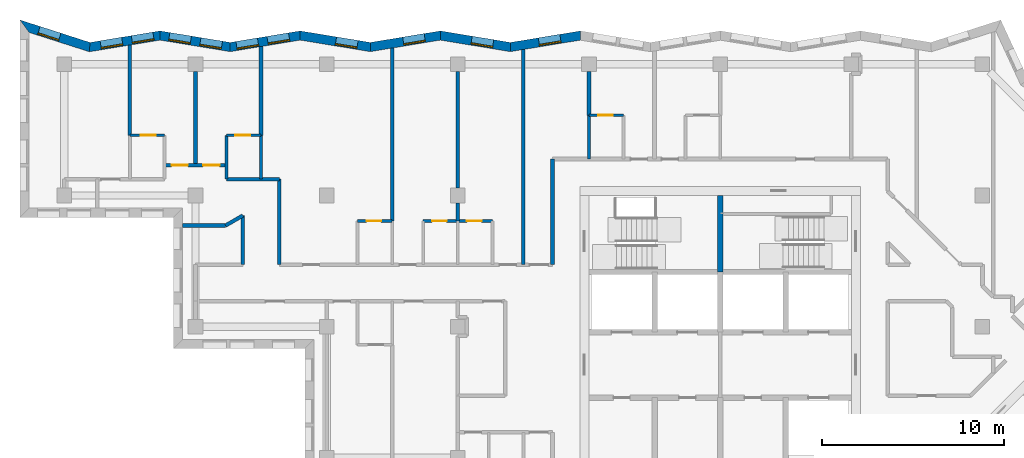
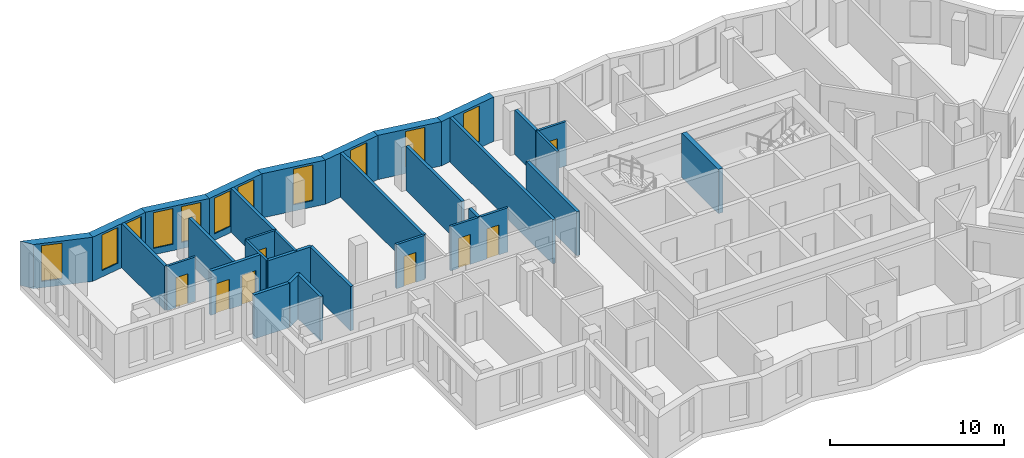
# One storey, part 6 of 12: 32 walls, 11 windows, 8 doors, 19 openings.
"""IFC4 building model written with IfcOpenShell, lengths in metres."""

from ifc_helpers import new_model, si_unit, direction, frame, frame_2d, origin, place, context, subcontext, project, spatial, polyline, rectangle, outline, extrude, material, layer, layer_set, type_object, element, fill, save


model = new_model("IFC4")

# Units and contexts
model_context = context("Model", 3, precision=1e-05, world=origin(), true_north=direction((0.0, 1.0)))
body_context = subcontext(model_context, "Body", "Model", "MODEL_VIEW")
ifc_project = project(units=[si_unit("LENGTHUNIT", "METRE"), si_unit("AREAUNIT", "SQUARE_METRE"), si_unit("VOLUMEUNIT", "CUBIC_METRE"), si_unit("PLANEANGLEUNIT", "RADIAN"), si_unit("MASSUNIT", "GRAM", prefix="KILO")], contexts=[model_context])

# Site, building, storey
site_placement = place(None, origin())
site = spatial("IfcSite", under=ifc_project, at=site_placement, CompositionType="ELEMENT")
building_placement = place(site_placement, origin())
building = spatial("IfcBuilding", under=site, at=building_placement, Name="Windrow Commons", CompositionType="ELEMENT")
storey_placement = place(building_placement, frame((0.0, 0.0, 227.0)))
storey = spatial("IfcBuildingStorey", under=building, at=storey_placement, Name="L62", CompositionType="ELEMENT", Elevation=227.0)

# Wall, opening, window
ifc_material_1 = material(Name="Brick masonry, red clay brick", Category="masonry")
ifc_layer_1 = layer(ifc_material_1, 0.5)
ifc_layer_set_1 = layer_set([ifc_layer_1], Name="Brick facade wall 500")
wall_type_1 = type_object("IfcWallType", Name="Brick facade wall 500", PredefinedType="SOLIDWALL", material=ifc_layer_set_1)
wall_1_placement = place(storey_placement, frame((57.1308, 73.5796, 0.0), z_axis=(0.0, 0.0, 1.0), x_axis=(-0.9867213513, -0.1624222118, 0.0)))
wall_1 = element("IfcWall", 1, at=wall_1_placement, inside=storey, type_object=wall_type_1, Name="Brick facade wall L62 23", PredefinedType="SOLIDWALL", context=body_context, shape_type="SweptSolid", body=[
    extrude(outline(polyline([(-0.0412, -0.25), (3.8561, -0.25), (3.9384, 0.25), (0.0412, 0.25), (-0.0412, -0.25)])), origin(), (0.0, 0.0, 1.0), 3.1),
])
opening_1_placement = place(wall_1_placement, frame((1.107, 0.0, 0.45)))
opening_1 = element("IfcOpeningElement", 2, at=opening_1_placement, cuts=wall_1, Name="Opening W7E", PredefinedType="OPENING", context=body_context, shape_type="SweptSolid", body=[
    extrude(rectangle(XDim=1.2, YDim=2.5, at=frame_2d((0.6, 1.25))), frame((0.0, 0.26, 0.0), z_axis=(0.0, -1.0, 0.0), x_axis=(1.0, 0.0, 0.0)), (0.0, 0.0, 1.0), 0.52),
])
ifc_material_2 = material(Name="Clear float glass in anodised aluminium frame", Category="aluminium")
window_type = type_object("IfcWindowType", Name="Window W7 notch 1200x2500", PartitioningType="SINGLE_PANEL", PredefinedType="WINDOW", material=ifc_material_2)
window_1_placement = place(opening_1_placement, origin())
window_1 = element("IfcWindow", 3, at=window_1_placement, inside=storey, type_object=window_type, Name="Window L62 23.1", OverallHeight=2.5, OverallWidth=1.2, PartitioningType="SINGLE_PANEL", PredefinedType="WINDOW", context=body_context, shape_type="SweptSolid", body=[
    extrude(rectangle(XDim=1.2, YDim=2.5, at=frame_2d((0.6, 1.25))), frame((0.0, 0.18, 0.0), z_axis=(0.0, -1.0, 0.0), x_axis=(1.0, 0.0, 0.0)), (0.0, 0.0, 1.0), 0.06),
])
fill(opening_1, window_1)

wall_2_placement = place(storey_placement, frame((53.2853, 72.9466, 0.0), z_axis=(0.0, 0.0, 1.0), x_axis=(-0.9867213513, 0.1624222118, 0.0)))
wall_2 = element("IfcWall", 4, at=wall_2_placement, inside=storey, type_object=wall_type_1, Name="Brick facade wall L62 24", PredefinedType="SOLIDWALL", context=body_context, shape_type="SweptSolid", body=[
    extrude(outline(polyline([(0.0412, -0.25), (3.9384, -0.25), (3.8561, 0.25), (-0.0412, 0.25), (0.0412, -0.25)])), origin(), (0.0, 0.0, 1.0), 3.1),
])
opening_2_placement = place(wall_2_placement, frame((0.9621, 0.0, 0.45)))
opening_2 = element("IfcOpeningElement", 5, at=opening_2_placement, cuts=wall_2, Name="Opening W7E", PredefinedType="OPENING", context=body_context, shape_type="SweptSolid", body=[
    extrude(rectangle(XDim=1.2, YDim=2.5, at=frame_2d((0.6, 1.25))), frame((0.0, 0.26, 0.0), z_axis=(0.0, -1.0, 0.0), x_axis=(1.0, 0.0, 0.0)), (0.0, 0.0, 1.0), 0.52),
])
window_2_placement = place(opening_2_placement, origin())
window_2 = element("IfcWindow", 6, at=window_2_placement, inside=storey, type_object=window_type, Name="Window L62 24.1", OverallHeight=2.5, OverallWidth=1.2, PartitioningType="SINGLE_PANEL", PredefinedType="WINDOW", context=body_context, shape_type="SweptSolid", body=[
    extrude(rectangle(XDim=1.2, YDim=2.5, at=frame_2d((0.6, 1.25))), frame((0.0, 0.18, 0.0), z_axis=(0.0, -1.0, 0.0), x_axis=(1.0, 0.0, 0.0)), (0.0, 0.0, 1.0), 0.06),
])
fill(opening_2, window_2)

wall_3_placement = place(storey_placement, frame((49.4398, 73.5796, 0.0), z_axis=(0.0, 0.0, 1.0), x_axis=(-0.9867206744, -0.1624263241, 0.0)))
wall_3 = element("IfcWall", 7, at=wall_3_placement, inside=storey, type_object=wall_type_1, Name="Brick facade wall L62 25", PredefinedType="SOLIDWALL", context=body_context, shape_type="SweptSolid", body=[
    extrude(outline(polyline([(-0.0412, -0.25), (3.8561, -0.25), (3.9384, 0.25), (0.0412, 0.25), (-0.0412, -0.25)])), origin(), (0.0, 0.0, 1.0), 3.1),
])
opening_3_placement = place(wall_3_placement, frame((0.8582, 0.0, 0.45)))
opening_3 = element("IfcOpeningElement", 8, at=opening_3_placement, cuts=wall_3, Name="Opening W7E", PredefinedType="OPENING", context=body_context, shape_type="SweptSolid", body=[
    extrude(rectangle(XDim=1.2, YDim=2.5, at=frame_2d((0.6, 1.25))), frame((0.0, 0.26, 0.0), z_axis=(0.0, -1.0, 0.0), x_axis=(1.0, 0.0, 0.0)), (0.0, 0.0, 1.0), 0.52),
])
window_3_placement = place(opening_3_placement, origin())
window_3 = element("IfcWindow", 9, at=window_3_placement, inside=storey, type_object=window_type, Name="Window L62 25.1", OverallHeight=2.5, OverallWidth=1.2, PartitioningType="SINGLE_PANEL", PredefinedType="WINDOW", context=body_context, shape_type="SweptSolid", body=[
    extrude(rectangle(XDim=1.2, YDim=2.5, at=frame_2d((0.6, 1.25))), frame((0.0, 0.18, 0.0), z_axis=(0.0, -1.0, 0.0), x_axis=(1.0, 0.0, 0.0)), (0.0, 0.0, 1.0), 0.06),
])
fill(opening_3, window_3)

wall_4_placement = place(storey_placement, frame((45.5944, 72.9466, 0.0), z_axis=(0.0, 0.0, 1.0), x_axis=(-0.9867213513, 0.1624222118, 0.0)))
wall_4 = element("IfcWall", 10, at=wall_4_placement, inside=storey, type_object=wall_type_1, Name="Brick facade wall L62 26", PredefinedType="SOLIDWALL", context=body_context, shape_type="SweptSolid", body=[
    extrude(outline(polyline([(0.0412, -0.25), (3.9384, -0.25), (3.8561, 0.25), (-0.0412, 0.25), (0.0412, -0.25)])), origin(), (0.0, 0.0, 1.0), 3.1),
])
opening_4_placement = place(wall_4_placement, frame((0.7133, 0.0, 0.45)))
opening_4 = element("IfcOpeningElement", 11, at=opening_4_placement, cuts=wall_4, Name="Opening W7E", PredefinedType="OPENING", context=body_context, shape_type="SweptSolid", body=[
    extrude(rectangle(XDim=1.2, YDim=2.5, at=frame_2d((0.6, 1.25))), frame((0.0, 0.26, 0.0), z_axis=(0.0, -1.0, 0.0), x_axis=(1.0, 0.0, 0.0)), (0.0, 0.0, 1.0), 0.52),
])
window_4_placement = place(opening_4_placement, origin())
window_4 = element("IfcWindow", 12, at=window_4_placement, inside=storey, type_object=window_type, Name="Window L62 26.1", OverallHeight=2.5, OverallWidth=1.2, PartitioningType="SINGLE_PANEL", PredefinedType="WINDOW", context=body_context, shape_type="SweptSolid", body=[
    extrude(rectangle(XDim=1.2, YDim=2.5, at=frame_2d((0.6, 1.25))), frame((0.0, 0.18, 0.0), z_axis=(0.0, -1.0, 0.0), x_axis=(1.0, 0.0, 0.0)), (0.0, 0.0, 1.0), 0.06),
])
fill(opening_4, window_4)

# Wall, openings, windows
wall_5_placement = place(storey_placement, frame((41.7489, 73.5796, 0.0), z_axis=(0.0, 0.0, 1.0), x_axis=(-0.9867213513, -0.1624222118, 0.0)))
wall_5 = element("IfcWall", 13, at=wall_5_placement, inside=storey, type_object=wall_type_1, Name="Brick facade wall L62 27", PredefinedType="SOLIDWALL", context=body_context, shape_type="SweptSolid", body=[
    extrude(outline(polyline([(-0.0412, -0.25), (3.8561, -0.25), (3.9384, 0.25), (0.0412, 0.25), (-0.0412, -0.25)])), origin(), (0.0, 0.0, 1.0), 3.1),
])
opening_5_placement = place(wall_5_placement, frame((0.6095, 0.0, 0.45)))
opening_5 = element("IfcOpeningElement", 14, at=opening_5_placement, cuts=wall_5, Name="Opening W7E", PredefinedType="OPENING", context=body_context, shape_type="SweptSolid", body=[
    extrude(rectangle(XDim=1.2, YDim=2.5, at=frame_2d((0.6, 1.25))), frame((0.0, 0.26, 0.0), z_axis=(0.0, -1.0, 0.0), x_axis=(1.0, 0.0, 0.0)), (0.0, 0.0, 1.0), 0.52),
])
opening_6_placement = place(wall_5_placement, frame((2.3375, 0.0, 0.45)))
opening_6 = element("IfcOpeningElement", 15, at=opening_6_placement, cuts=wall_5, Name="Opening W7E", PredefinedType="OPENING", context=body_context, shape_type="SweptSolid", body=[
    extrude(rectangle(XDim=1.2, YDim=2.5, at=frame_2d((0.6, 1.25))), frame((0.0, 0.26, 0.0), z_axis=(0.0, -1.0, 0.0), x_axis=(1.0, 0.0, 0.0)), (0.0, 0.0, 1.0), 0.52),
])
window_5_placement = place(opening_5_placement, origin())
window_5 = element("IfcWindow", 16, at=window_5_placement, inside=storey, type_object=window_type, Name="Window L62 27.1", OverallHeight=2.5, OverallWidth=1.2, PartitioningType="SINGLE_PANEL", PredefinedType="WINDOW", context=body_context, shape_type="SweptSolid", body=[
    extrude(rectangle(XDim=1.2, YDim=2.5, at=frame_2d((0.6, 1.25))), frame((0.0, 0.18, 0.0), z_axis=(0.0, -1.0, 0.0), x_axis=(1.0, 0.0, 0.0)), (0.0, 0.0, 1.0), 0.06),
])
fill(opening_5, window_5)
window_6_placement = place(opening_6_placement, origin())
window_6 = element("IfcWindow", 17, at=window_6_placement, inside=storey, type_object=window_type, Name="Window L62 27.2", OverallHeight=2.5, OverallWidth=1.2, PartitioningType="SINGLE_PANEL", PredefinedType="WINDOW", context=body_context, shape_type="SweptSolid", body=[
    extrude(rectangle(XDim=1.2, YDim=2.5, at=frame_2d((0.6, 1.25))), frame((0.0, 0.18, 0.0), z_axis=(0.0, -1.0, 0.0), x_axis=(1.0, 0.0, 0.0)), (0.0, 0.0, 1.0), 0.06),
])
fill(opening_6, window_6)

wall_6_placement = place(storey_placement, frame((37.9034, 72.9466, 0.0), z_axis=(0.0, 0.0, 1.0), x_axis=(-0.9867213513, 0.1624222118, 0.0)))
wall_6 = element("IfcWall", 18, at=wall_6_placement, inside=storey, type_object=wall_type_1, Name="Brick facade wall L62 28", PredefinedType="SOLIDWALL", context=body_context, shape_type="SweptSolid", body=[
    extrude(outline(polyline([(0.0412, -0.25), (3.9384, -0.25), (3.8561, 0.25), (-0.0412, 0.25), (0.0412, -0.25)])), origin(), (0.0, 0.0, 1.0), 3.1),
])
opening_7_placement = place(wall_6_placement, frame((0.4645, 0.0, 0.45)))
opening_7 = element("IfcOpeningElement", 19, at=opening_7_placement, cuts=wall_6, Name="Opening W7E", PredefinedType="OPENING", context=body_context, shape_type="SweptSolid", body=[
    extrude(rectangle(XDim=1.2, YDim=2.5, at=frame_2d((0.6, 1.25))), frame((0.0, 0.26, 0.0), z_axis=(0.0, -1.0, 0.0), x_axis=(1.0, 0.0, 0.0)), (0.0, 0.0, 1.0), 0.52),
])
opening_8_placement = place(wall_6_placement, frame((2.1925, 0.0, 0.45)))
opening_8 = element("IfcOpeningElement", 20, at=opening_8_placement, cuts=wall_6, Name="Opening W7E", PredefinedType="OPENING", context=body_context, shape_type="SweptSolid", body=[
    extrude(rectangle(XDim=1.2, YDim=2.5, at=frame_2d((0.6, 1.25))), frame((0.0, 0.26, 0.0), z_axis=(0.0, -1.0, 0.0), x_axis=(1.0, 0.0, 0.0)), (0.0, 0.0, 1.0), 0.52),
])
window_7_placement = place(opening_7_placement, origin())
window_7 = element("IfcWindow", 21, at=window_7_placement, inside=storey, type_object=window_type, Name="Window L62 28.1", OverallHeight=2.5, OverallWidth=1.2, PartitioningType="SINGLE_PANEL", PredefinedType="WINDOW", context=body_context, shape_type="SweptSolid", body=[
    extrude(rectangle(XDim=1.2, YDim=2.5, at=frame_2d((0.6, 1.25))), frame((0.0, 0.18, 0.0), z_axis=(0.0, -1.0, 0.0), x_axis=(1.0, 0.0, 0.0)), (0.0, 0.0, 1.0), 0.06),
])
fill(opening_7, window_7)
window_8_placement = place(opening_8_placement, origin())
window_8 = element("IfcWindow", 22, at=window_8_placement, inside=storey, type_object=window_type, Name="Window L62 28.2", OverallHeight=2.5, OverallWidth=1.2, PartitioningType="SINGLE_PANEL", PredefinedType="WINDOW", context=body_context, shape_type="SweptSolid", body=[
    extrude(rectangle(XDim=1.2, YDim=2.5, at=frame_2d((0.6, 1.25))), frame((0.0, 0.18, 0.0), z_axis=(0.0, -1.0, 0.0), x_axis=(1.0, 0.0, 0.0)), (0.0, 0.0, 1.0), 0.06),
])
fill(opening_8, window_8)

wall_7_placement = place(storey_placement, frame((34.0579, 73.5796, 0.0), z_axis=(0.0, 0.0, 1.0), x_axis=(-0.9867211316, -0.1624235468, 0.0)))
wall_7 = element("IfcWall", 23, at=wall_7_placement, inside=storey, type_object=wall_type_1, Name="Brick facade wall L62 29", PredefinedType="SOLIDWALL", context=body_context, shape_type="SweptSolid", body=[
    extrude(outline(polyline([(-0.0412, -0.25), (3.8561, -0.25), (3.9767, 0.25), (0.0412, 0.25), (-0.0412, -0.25)])), origin(), (0.0, 0.0, 1.0), 3.1),
])
opening_9_placement = place(wall_7_placement, frame((0.3607, 0.0, 0.45)))
opening_9 = element("IfcOpeningElement", 24, at=opening_9_placement, cuts=wall_7, Name="Opening W7E", PredefinedType="OPENING", context=body_context, shape_type="SweptSolid", body=[
    extrude(rectangle(XDim=1.2, YDim=2.5, at=frame_2d((0.6, 1.25))), frame((0.0, 0.26, 0.0), z_axis=(0.0, -1.0, 0.0), x_axis=(1.0, 0.0, 0.0)), (0.0, 0.0, 1.0), 0.52),
])
opening_10_placement = place(wall_7_placement, frame((2.0983, 0.0, 0.45)))
opening_10 = element("IfcOpeningElement", 25, at=opening_10_placement, cuts=wall_7, Name="Opening W7E", PredefinedType="OPENING", context=body_context, shape_type="SweptSolid", body=[
    extrude(rectangle(XDim=1.2, YDim=2.5, at=frame_2d((0.6, 1.25))), frame((0.0, 0.26, 0.0), z_axis=(0.0, -1.0, 0.0), x_axis=(1.0, 0.0, 0.0)), (0.0, 0.0, 1.0), 0.52),
])
window_9_placement = place(opening_9_placement, origin())
window_9 = element("IfcWindow", 26, at=window_9_placement, inside=storey, type_object=window_type, Name="Window L62 29.1", OverallHeight=2.5, OverallWidth=1.2, PartitioningType="SINGLE_PANEL", PredefinedType="WINDOW", context=body_context, shape_type="SweptSolid", body=[
    extrude(rectangle(XDim=1.2, YDim=2.5, at=frame_2d((0.6, 1.25))), frame((0.0, 0.18, 0.0), z_axis=(0.0, -1.0, 0.0), x_axis=(1.0, 0.0, 0.0)), (0.0, 0.0, 1.0), 0.06),
])
fill(opening_9, window_9)
window_10_placement = place(opening_10_placement, origin())
window_10 = element("IfcWindow", 27, at=window_10_placement, inside=storey, type_object=window_type, Name="Window L62 29.2", OverallHeight=2.5, OverallWidth=1.2, PartitioningType="SINGLE_PANEL", PredefinedType="WINDOW", context=body_context, shape_type="SweptSolid", body=[
    extrude(rectangle(XDim=1.2, YDim=2.5, at=frame_2d((0.6, 1.25))), frame((0.0, 0.18, 0.0), z_axis=(0.0, -1.0, 0.0), x_axis=(1.0, 0.0, 0.0)), (0.0, 0.0, 1.0), 0.06),
])
fill(opening_10, window_10)

# Wall, opening, window
wall_8_placement = place(storey_placement, frame((30.1936, 72.9435, 0.0), z_axis=(0.0, 0.0, 1.0), x_axis=(-0.9522471609, 0.305328257, 0.0)))
wall_8 = element("IfcWall", 28, at=wall_8_placement, inside=storey, type_object=wall_type_1, Name="Brick facade wall L62 30", PredefinedType="SOLIDWALL", context=body_context, shape_type="SweptSolid", body=[
    extrude(outline(polyline([(0.0603, -0.25), (4.0986, -0.25), (3.4132, 0.25), (-0.0603, 0.25), (0.0603, -0.25)])), origin(), (0.0, 0.0, 1.0), 3.1),
])
opening_11_placement = place(wall_8_placement, frame((1.7383, 0.0, 0.45)))
opening_11 = element("IfcOpeningElement", 29, at=opening_11_placement, cuts=wall_8, Name="Opening W7E", PredefinedType="OPENING", context=body_context, shape_type="SweptSolid", body=[
    extrude(rectangle(XDim=1.2, YDim=2.5, at=frame_2d((0.6, 1.25))), frame((0.0, 0.26, 0.0), z_axis=(0.0, -1.0, 0.0), x_axis=(1.0, 0.0, 0.0)), (0.0, 0.0, 1.0), 0.52),
])
window_11_placement = place(opening_11_placement, origin())
window_11 = element("IfcWindow", 30, at=window_11_placement, inside=storey, type_object=window_type, Name="Window L62 30.1", OverallHeight=2.5, OverallWidth=1.2, PartitioningType="SINGLE_PANEL", PredefinedType="WINDOW", context=body_context, shape_type="SweptSolid", body=[
    extrude(rectangle(XDim=1.2, YDim=2.5, at=frame_2d((0.6, 1.25))), frame((0.0, 0.18, 0.0), z_axis=(0.0, -1.0, 0.0), x_axis=(1.0, 0.0, 0.0)), (0.0, 0.0, 1.0), 0.06),
])
fill(opening_11, window_11)

# Walls
ifc_material_3 = material(Name="Blockwork partition", Category="masonry")
ifc_layer_2 = layer(ifc_material_3, 0.2)
ifc_layer_set_2 = layer_set([ifc_layer_2], Name="IW-CORRIDOR-200")
wall_type_2 = type_object("IfcWallType", Name="IW-CORRIDOR-200", PredefinedType="PARTITIONING", material=ifc_layer_set_2)
wall_9_placement = place(storey_placement, frame((55.6, 61.002, 0.0), z_axis=(0.0, 0.0, 1.0), x_axis=(0.0, 1.0, 0.0)))
element("IfcWall", 31, at=wall_9_placement, inside=storey, type_object=wall_type_2, Name="W-L62-W022", PredefinedType="PARTITIONING", context=body_context, shape_type="SweptSolid", body=[
    extrude(rectangle(XDim=5.798, YDim=0.2, at=frame_2d((2.899, 0.0))), origin(), (0.0, 0.0, 1.0), 3.1),
])
wall_10_placement = place(storey_placement, frame((40.6, 61.002, 0.0), z_axis=(0.0, 0.0, 1.0), x_axis=(0.0, 1.0, 0.0)))
element("IfcWall", 32, at=wall_10_placement, inside=storey, type_object=wall_type_2, Name="W-L62-W036", PredefinedType="PARTITIONING", context=body_context, shape_type="SweptSolid", body=[
    extrude(rectangle(XDim=4.696, YDim=0.2, at=frame_2d((2.348, 0.0))), origin(), (0.0, 0.0, 1.0), 3.1),
])

# Wall, openings, doors
wall_11_placement = place(storey_placement, frame((34.35, 66.45, 0.0), z_axis=(0.0, 0.0, 1.0), x_axis=(1.0, 0.0, 0.0)))
wall_11 = element("IfcWall", 33, at=wall_11_placement, inside=storey, type_object=wall_type_2, Name="W-L62-W043", PredefinedType="PARTITIONING", context=body_context, shape_type="SweptSolid", body=[
    extrude(rectangle(XDim=3.3, YDim=0.2, at=frame_2d((1.65, 0.0))), origin(), (0.0, 0.0, 1.0), 3.1),
])
opening_12_placement = place(wall_11_placement, frame((0.3375, 0.0, 0.0)))
opening_12 = element("IfcOpeningElement", 34, at=opening_12_placement, cuts=wall_11, Name="Opening D109S", PredefinedType="OPENING", context=body_context, shape_type="SweptSolid", body=[
    extrude(rectangle(XDim=0.9, YDim=2.1, at=frame_2d((0.45, 1.05))), frame((0.0, 0.11, 0.0), z_axis=(0.0, -1.0, 0.0), x_axis=(1.0, 0.0, 0.0)), (0.0, 0.0, 1.0), 0.22),
])
opening_13_placement = place(wall_11_placement, frame((2.0727, 0.0, 0.0)))
opening_13 = element("IfcOpeningElement", 35, at=opening_13_placement, cuts=wall_11, Name="Opening D109S", PredefinedType="OPENING", context=body_context, shape_type="SweptSolid", body=[
    extrude(rectangle(XDim=0.9, YDim=2.1, at=frame_2d((0.45, 1.05))), frame((0.0, 0.11, 0.0), z_axis=(0.0, -1.0, 0.0), x_axis=(1.0, 0.0, 0.0)), (0.0, 0.0, 1.0), 0.22),
])
ifc_material_4 = material(Name="Timber door leaf", Category="wood")
door_type_1 = type_object("IfcDoorType", Name="DT-BEDROOM-900", OperationType="SINGLE_SWING_LEFT", PredefinedType="DOOR", material=ifc_material_4)
door_1_placement = place(opening_12_placement, origin())
door_1 = element("IfcDoor", 36, at=door_1_placement, inside=storey, type_object=door_type_1, Name="D-L62-D015", OperationType="SINGLE_SWING_LEFT", OverallHeight=2.1, OverallWidth=0.9, PredefinedType="DOOR", context=body_context, shape_type="SweptSolid", body=[
    extrude(rectangle(XDim=0.9, YDim=2.1, at=frame_2d((0.45, 1.05))), frame((0.0, 0.025, 0.0), z_axis=(0.0, -1.0, 0.0), x_axis=(1.0, 0.0, 0.0)), (0.0, 0.0, 1.0), 0.05),
])
fill(opening_12, door_1)
door_2_placement = place(opening_13_placement, origin())
door_2 = element("IfcDoor", 37, at=door_2_placement, inside=storey, type_object=door_type_1, Name="D-L62-D017", OperationType="SINGLE_SWING_RIGHT", OverallHeight=2.1, OverallWidth=0.9, PredefinedType="DOOR", context=body_context, shape_type="SweptSolid", body=[
    extrude(rectangle(XDim=0.9, YDim=2.1, at=frame_2d((0.45, 1.05))), frame((0.0, 0.025, 0.0), z_axis=(0.0, -1.0, 0.0), x_axis=(1.0, 0.0, 0.0)), (0.0, 0.0, 1.0), 0.05),
])
fill(opening_13, door_2)

# Walls
wall_12_placement = place(storey_placement, frame((37.7, 65.7, 0.0), z_axis=(0.0, 0.0, 1.0), x_axis=(1.0, 0.0, 0.0)))
element("IfcWall", 38, at=wall_12_placement, inside=storey, type_object=wall_type_2, Name="W-L62-W049", PredefinedType="PARTITIONING", context=body_context, shape_type="SweptSolid", body=[
    extrude(rectangle(XDim=2.9, YDim=0.2, at=frame_2d((1.45, 0.0))), origin(), (0.0, 0.0, 1.0), 3.1),
])
wall_13_placement = place(storey_placement, frame((38.6, 61.002, 0.0), z_axis=(0.0, 0.0, 1.0), x_axis=(0.0, 1.0, 0.0)))
element("IfcWall", 39, at=wall_13_placement, inside=storey, type_object=wall_type_2, Name="W-L62-W055", PredefinedType="PARTITIONING", context=body_context, shape_type="SweptSolid", body=[
    extrude(rectangle(XDim=2.698, YDim=0.2, at=frame_2d((1.349, 0.0))), origin(), (0.0, 0.0, 1.0), 3.1),
])
wall_14_placement = place(storey_placement, frame((35.3, 63.15, 0.0), z_axis=(0.0, 0.0, 1.0), x_axis=(1.0, 0.0, 0.0)))
element("IfcWall", 40, at=wall_14_placement, inside=storey, type_object=wall_type_2, Name="W-L62-W090", PredefinedType="PARTITIONING", context=body_context, shape_type="SweptSolid", body=[
    extrude(rectangle(XDim=2.35, YDim=0.2, at=frame_2d((1.175, 0.0))), origin(), (0.0, 0.0, 1.0), 3.1),
])
wall_15_placement = place(storey_placement, frame((37.65, 63.15, 0.0), z_axis=(0.0, 0.0, 1.0), x_axis=(0.8654262855, 0.5010362705, 0.0)))
element("IfcWall", 41, at=wall_15_placement, inside=storey, type_object=wall_type_2, Name="W-L62-W150", PredefinedType="PARTITIONING", context=body_context, shape_type="SweptSolid", body=[
    extrude(rectangle(XDim=1.0977, YDim=0.2, at=frame_2d((0.5488, 0.0))), origin(), (0.0, 0.0, 1.0), 3.1),
])

# Wall, openings, doors
ifc_material_5 = material(Name="Blockwork partition", Category="masonry")
ifc_layer_3 = layer(ifc_material_5, 0.15)
ifc_layer_set_3 = layer_set([ifc_layer_3], Name="IW-ENSUITE-150")
wall_type_3 = type_object("IfcWallType", Name="IW-ENSUITE-150", PredefinedType="PARTITIONING", material=ifc_layer_set_3)
wall_16_placement = place(storey_placement, frame((48.5, 63.4, 0.0), z_axis=(0.0, 0.0, 1.0), x_axis=(1.0, 0.0, 0.0)))
wall_16 = element("IfcWall", 42, at=wall_16_placement, inside=storey, type_object=wall_type_3, Name="W-L62-W039", PredefinedType="PARTITIONING", context=body_context, shape_type="SweptSolid", body=[
    extrude(rectangle(XDim=3.8, YDim=0.15, at=frame_2d((1.9, 0.0))), origin(), (0.0, 0.0, 1.0), 3.1),
])
opening_14_placement = place(wall_16_placement, frame((0.4931, 0.0, 0.0)))
opening_14 = element("IfcOpeningElement", 43, at=opening_14_placement, cuts=wall_16, Name="Opening D208N", PredefinedType="OPENING", context=body_context, shape_type="SweptSolid", body=[
    extrude(rectangle(XDim=0.8, YDim=2.1, at=frame_2d((0.4, 1.05))), frame((0.0, 0.085, 0.0), z_axis=(0.0, -1.0, 0.0), x_axis=(1.0, 0.0, 0.0)), (0.0, 0.0, 1.0), 0.17),
])
opening_15_placement = place(wall_16_placement, frame((2.4021, 0.0, 0.0)))
opening_15 = element("IfcOpeningElement", 44, at=opening_15_placement, cuts=wall_16, Name="Opening D208N", PredefinedType="OPENING", context=body_context, shape_type="SweptSolid", body=[
    extrude(rectangle(XDim=0.8, YDim=2.1, at=frame_2d((0.4, 1.05))), frame((0.0, 0.085, 0.0), z_axis=(0.0, -1.0, 0.0), x_axis=(1.0, 0.0, 0.0)), (0.0, 0.0, 1.0), 0.17),
])
ifc_material_6 = material(Name="Timber door leaf", Category="wood")
door_type_2 = type_object("IfcDoorType", Name="DT-ENSUITE-800", OperationType="SINGLE_SWING_LEFT", PredefinedType="DOOR", material=ifc_material_6)
door_3_placement = place(opening_14_placement, origin())
door_3 = element("IfcDoor", 45, at=door_3_placement, inside=storey, type_object=door_type_2, Name="D-L62-D022", OperationType="SINGLE_SWING_RIGHT", OverallHeight=2.1, OverallWidth=0.8, PredefinedType="DOOR", context=body_context, shape_type="SweptSolid", body=[
    extrude(rectangle(XDim=0.8, YDim=2.1, at=frame_2d((0.4, 1.05))), frame((0.0, 0.025, 0.0), z_axis=(0.0, -1.0, 0.0), x_axis=(1.0, 0.0, 0.0)), (0.0, 0.0, 1.0), 0.05),
])
fill(opening_14, door_3)
door_4_placement = place(opening_15_placement, origin())
door_4 = element("IfcDoor", 46, at=door_4_placement, inside=storey, type_object=door_type_2, Name="D-L62-D024", OperationType="SINGLE_SWING_RIGHT", OverallHeight=2.1, OverallWidth=0.8, PredefinedType="DOOR", context=body_context, shape_type="SweptSolid", body=[
    extrude(rectangle(XDim=0.8, YDim=2.1, at=frame_2d((0.4, 1.05))), frame((0.0, 0.025, 0.0), z_axis=(0.0, -1.0, 0.0), x_axis=(1.0, 0.0, 0.0)), (0.0, 0.0, 1.0), 0.05),
])
fill(opening_15, door_4)

# Walls
for number, where, z_axis, x_axis, name in (
    (47, (57.6, 66.8, 0.0), (0.0, 0.0, 1.0), (0.0, 1.0, 0.0), "W-L62-W064"),
    (48, (37.7, 65.7, 0.0), (0.0, 0.0, 1.0), (0.0, 1.0, 0.0), "W-L62-W082"),
    (49, (39.6, 65.7, 0.0), (0.0, 0.0, 1.0), (0.0, 1.0, 0.0), "W-L62-W083"),
):
    element("IfcWall", number, at=place(storey_placement, frame(where, z_axis=z_axis, x_axis=x_axis)), inside=storey, type_object=wall_type_3, Name=name, PredefinedType="PARTITIONING", context=body_context, shape_type="SweptSolid", body=[
        extrude(rectangle(XDim=2.4, YDim=0.15, at=frame_2d((1.2, 0.0))), origin(), (0.0, 0.0, 1.0), 3.1),
    ])

# Wall, opening, door
wall_17_placement = place(storey_placement, frame((32.4, 68.1, 0.0), z_axis=(0.0, 0.0, 1.0), x_axis=(1.0, 0.0, 0.0)))
wall_17 = element("IfcWall", 50, at=wall_17_placement, inside=storey, type_object=wall_type_3, Name="W-L62-W098", PredefinedType="PARTITIONING", context=body_context, shape_type="SweptSolid", body=[
    extrude(rectangle(XDim=1.9, YDim=0.15, at=frame_2d((0.95, 0.0))), origin(), (0.0, 0.0, 1.0), 3.1),
])
opening_16_placement = place(wall_17_placement, frame((0.6069, 0.0, 0.0)))
opening_16 = element("IfcOpeningElement", 51, at=opening_16_placement, cuts=wall_17, Name="Opening D208N", PredefinedType="OPENING", context=body_context, shape_type="SweptSolid", body=[
    extrude(rectangle(XDim=0.8, YDim=2.1, at=frame_2d((0.4, 1.05))), frame((0.0, 0.085, 0.0), z_axis=(0.0, -1.0, 0.0), x_axis=(1.0, 0.0, 0.0)), (0.0, 0.0, 1.0), 0.17),
])
door_5_placement = place(opening_16_placement, origin())
door_5 = element("IfcDoor", 52, at=door_5_placement, inside=storey, type_object=door_type_2, Name="D-L62-D016", OperationType="SINGLE_SWING_RIGHT", OverallHeight=2.1, OverallWidth=0.8, PredefinedType="DOOR", context=body_context, shape_type="SweptSolid", body=[
    extrude(rectangle(XDim=0.8, YDim=2.1, at=frame_2d((0.4, 1.05))), frame((0.0, 0.025, 0.0), z_axis=(0.0, -1.0, 0.0), x_axis=(1.0, 0.0, 0.0)), (0.0, 0.0, 1.0), 0.05),
])
fill(opening_16, door_5)

wall_18_placement = place(storey_placement, frame((37.7, 68.1, 0.0), z_axis=(0.0, 0.0, 1.0), x_axis=(1.0, 0.0, 0.0)))
wall_18 = element("IfcWall", 53, at=wall_18_placement, inside=storey, type_object=wall_type_3, Name="W-L62-W099", PredefinedType="PARTITIONING", context=body_context, shape_type="SweptSolid", body=[
    extrude(rectangle(XDim=1.9, YDim=0.15, at=frame_2d((0.95, 0.0))), origin(), (0.0, 0.0, 1.0), 3.1),
])
opening_17_placement = place(wall_18_placement, frame((0.4931, 0.0, 0.0)))
opening_17 = element("IfcOpeningElement", 54, at=opening_17_placement, cuts=wall_18, Name="Opening D208N", PredefinedType="OPENING", context=body_context, shape_type="SweptSolid", body=[
    extrude(rectangle(XDim=0.8, YDim=2.1, at=frame_2d((0.4, 1.05))), frame((0.0, 0.085, 0.0), z_axis=(0.0, -1.0, 0.0), x_axis=(1.0, 0.0, 0.0)), (0.0, 0.0, 1.0), 0.17),
])
door_6_placement = place(opening_17_placement, origin())
door_6 = element("IfcDoor", 55, at=door_6_placement, inside=storey, type_object=door_type_2, Name="D-L62-D018", OperationType="SINGLE_SWING_RIGHT", OverallHeight=2.1, OverallWidth=0.8, PredefinedType="DOOR", context=body_context, shape_type="SweptSolid", body=[
    extrude(rectangle(XDim=0.8, YDim=2.1, at=frame_2d((0.4, 1.05))), frame((0.0, 0.025, 0.0), z_axis=(0.0, -1.0, 0.0), x_axis=(1.0, 0.0, 0.0)), (0.0, 0.0, 1.0), 0.05),
])
fill(opening_17, door_6)

wall_19_placement = place(storey_placement, frame((44.9, 63.4, 0.0), z_axis=(0.0, 0.0, 1.0), x_axis=(1.0, 0.0, 0.0)))
wall_19 = element("IfcWall", 56, at=wall_19_placement, inside=storey, type_object=wall_type_3, Name="W-L62-W101", PredefinedType="PARTITIONING", context=body_context, shape_type="SweptSolid", body=[
    extrude(rectangle(XDim=1.9, YDim=0.15, at=frame_2d((0.95, 0.0))), origin(), (0.0, 0.0, 1.0), 3.1),
])
opening_18_placement = place(wall_19_placement, frame((0.4931, 0.0, 0.0)))
opening_18 = element("IfcOpeningElement", 57, at=opening_18_placement, cuts=wall_19, Name="Opening D208N", PredefinedType="OPENING", context=body_context, shape_type="SweptSolid", body=[
    extrude(rectangle(XDim=0.8, YDim=2.1, at=frame_2d((0.4, 1.05))), frame((0.0, 0.085, 0.0), z_axis=(0.0, -1.0, 0.0), x_axis=(1.0, 0.0, 0.0)), (0.0, 0.0, 1.0), 0.17),
])
door_7_placement = place(opening_18_placement, origin())
door_7 = element("IfcDoor", 58, at=door_7_placement, inside=storey, type_object=door_type_2, Name="D-L62-D020", OperationType="SINGLE_SWING_RIGHT", OverallHeight=2.1, OverallWidth=0.8, PredefinedType="DOOR", context=body_context, shape_type="SweptSolid", body=[
    extrude(rectangle(XDim=0.8, YDim=2.1, at=frame_2d((0.4, 1.05))), frame((0.0, 0.025, 0.0), z_axis=(0.0, -1.0, 0.0), x_axis=(1.0, 0.0, 0.0)), (0.0, 0.0, 1.0), 0.05),
])
fill(opening_18, door_7)

wall_20_placement = place(storey_placement, frame((57.6, 69.2, 0.0), z_axis=(0.0, 0.0, 1.0), x_axis=(1.0, 0.0, 0.0)))
wall_20 = element("IfcWall", 59, at=wall_20_placement, inside=storey, type_object=wall_type_3, Name="W-L62-W103", PredefinedType="PARTITIONING", context=body_context, shape_type="SweptSolid", body=[
    extrude(rectangle(XDim=1.9, YDim=0.15, at=frame_2d((0.95, 0.0))), origin(), (0.0, 0.0, 1.0), 3.1),
])
opening_19_placement = place(wall_20_placement, frame((0.5021, 0.0, 0.0)))
opening_19 = element("IfcOpeningElement", 60, at=opening_19_placement, cuts=wall_20, Name="Opening D208N", PredefinedType="OPENING", context=body_context, shape_type="SweptSolid", body=[
    extrude(rectangle(XDim=0.8, YDim=2.1, at=frame_2d((0.4, 1.05))), frame((0.0, 0.085, 0.0), z_axis=(0.0, -1.0, 0.0), x_axis=(1.0, 0.0, 0.0)), (0.0, 0.0, 1.0), 0.17),
])
door_8_placement = place(opening_19_placement, origin())
door_8 = element("IfcDoor", 61, at=door_8_placement, inside=storey, type_object=door_type_2, Name="D-L62-D027", OperationType="SINGLE_SWING_RIGHT", OverallHeight=2.1, OverallWidth=0.8, PredefinedType="DOOR", context=body_context, shape_type="SweptSolid", body=[
    extrude(rectangle(XDim=0.8, YDim=2.1, at=frame_2d((0.4, 1.05))), frame((0.0, 0.025, 0.0), z_axis=(0.0, -1.0, 0.0), x_axis=(1.0, 0.0, 0.0)), (0.0, 0.0, 1.0), 0.05),
])
fill(opening_19, door_8)

# Walls
ifc_material_7 = material(Name="Blockwork partition", Category="masonry")
ifc_layer_4 = layer(ifc_material_7, 0.2)
ifc_layer_set_4 = layer_set([ifc_layer_4], Name="IW-PARTY-200")
wall_type_4 = type_object("IfcWallType", Name="IW-PARTY-200", PredefinedType="PARTITIONING", material=ifc_layer_set_4)
wall_21_placement = place(storey_placement, frame((54.0, 61.0, 0.0), z_axis=(0.0, 0.0, 1.0), x_axis=(0.0, 1.0, 0.0)))
element("IfcWall", 62, at=wall_21_placement, inside=storey, type_object=wall_type_4, Name="W-L62-W006", PredefinedType="PARTITIONING", context=body_context, shape_type="SweptSolid", body=[
    extrude(rectangle(XDim=11.8109, YDim=0.2, at=frame_2d((5.9055, 0.0))), origin(), (0.0, 0.0, 1.0), 3.1),
])
wall_22_placement = place(storey_placement, frame((46.8, 63.4, 0.0), z_axis=(0.0, 0.0, 1.0), x_axis=(0.0, 1.0, 0.0)))
element("IfcWall", 63, at=wall_22_placement, inside=storey, type_object=wall_type_4, Name="W-L62-W008", PredefinedType="PARTITIONING", context=body_context, shape_type="SweptSolid", body=[
    extrude(rectangle(XDim=9.4917, YDim=0.2, at=frame_2d((4.7458, 0.0))), origin(), (0.0, 0.0, 1.0), 3.1),
])
wall_23_placement = place(storey_placement, frame((50.4, 65.2, 0.0), z_axis=(0.0, 0.0, 1.0), x_axis=(0.0, 1.0, 0.0)))
element("IfcWall", 64, at=wall_23_placement, inside=storey, type_object=wall_type_4, Name="W-L62-W019", PredefinedType="PARTITIONING", context=body_context, shape_type="SweptSolid", body=[
    extrude(rectangle(XDim=6.4, YDim=0.2, at=frame_2d((3.2, 0.0))), origin(), (0.0, 0.0, 1.0), 3.1),
])
wall_24_placement = place(storey_placement, frame((36.0, 66.45, 0.0), z_axis=(0.0, 0.0, 1.0), x_axis=(0.0, 1.0, 0.0)))
element("IfcWall", 65, at=wall_24_placement, inside=storey, type_object=wall_type_4, Name="W-L62-W030", PredefinedType="PARTITIONING", context=body_context, shape_type="SweptSolid", body=[
    extrude(rectangle(XDim=5.15, YDim=0.2, at=frame_2d((2.575, 0.0))), origin(), (0.0, 0.0, 1.0), 3.1),
])
wall_25_placement = place(storey_placement, frame((32.4, 68.1, 0.0), z_axis=(0.0, 0.0, 1.0), x_axis=(0.0, 1.0, 0.0)))
element("IfcWall", 66, at=wall_25_placement, inside=storey, type_object=wall_type_4, Name="W-L62-W031", PredefinedType="PARTITIONING", context=body_context, shape_type="SweptSolid", body=[
    extrude(rectangle(XDim=4.9534, YDim=0.2, at=frame_2d((2.4767, 0.0))), origin(), (0.0, 0.0, 1.0), 3.1),
])
wall_26_placement = place(storey_placement, frame((39.6, 68.1, 0.0), z_axis=(0.0, 0.0, 1.0), x_axis=(0.0, 1.0, 0.0)))
element("IfcWall", 67, at=wall_26_placement, inside=storey, type_object=wall_type_4, Name="W-L62-W032", PredefinedType="PARTITIONING", context=body_context, shape_type="SweptSolid", body=[
    extrude(rectangle(XDim=4.8725, YDim=0.2, at=frame_2d((2.4362, 0.0))), origin(), (0.0, 0.0, 1.0), 3.1),
])
wall_27_placement = place(storey_placement, frame((57.6, 69.2, 0.0), z_axis=(0.0, 0.0, 1.0), x_axis=(0.0, 1.0, 0.0)))
element("IfcWall", 68, at=wall_27_placement, inside=storey, type_object=wall_type_4, Name="W-L62-W084", PredefinedType="PARTITIONING", context=body_context, shape_type="SweptSolid", body=[
    extrude(rectangle(XDim=2.4, YDim=0.2, at=frame_2d((1.2, 0.0))), origin(), (0.0, 0.0, 1.0), 3.1),
])
wall_28_placement = place(storey_placement, frame((50.4, 63.4, 0.0), z_axis=(0.0, 0.0, 1.0), x_axis=(0.0, 1.0, 0.0)))
element("IfcWall", 69, at=wall_28_placement, inside=storey, type_object=wall_type_4, Name="W-L62-W123", PredefinedType="PARTITIONING", context=body_context, shape_type="SweptSolid", body=[
    extrude(rectangle(XDim=1.0, YDim=0.2, at=frame_2d((0.5, 0.0))), origin(), (0.0, 0.0, 1.0), 3.1),
])
ifc_material_8 = material(Name="Concrete C40/50", Category="concrete")
ifc_layer_5 = layer(ifc_material_8, 0.3)
ifc_layer_set_5 = layer_set([ifc_layer_5], Name="RC SHAFT WALL 300 C40/50")
wall_type_5 = type_object("IfcWallType", Name="RC SHAFT WALL 300 C40/50", PredefinedType="SOLIDWALL", material=ifc_layer_set_5)
wall_29_placement = place(storey_placement, frame((64.8, 60.6, 0.0), z_axis=(0.0, 0.0, 1.0), x_axis=(0.0, 1.0, 0.0)))
element("IfcWall", 70, at=wall_29_placement, inside=storey, type_object=wall_type_5, Name="Core A wall stair-mid", PredefinedType="SOLIDWALL", context=body_context, shape_type="SweptSolid", body=[
    extrude(rectangle(XDim=4.2, YDim=0.3, at=frame_2d((2.1, 0.0))), origin(), (0.0, 0.0, 1.0), 3.1),
])

save(model, "model.ifc")
